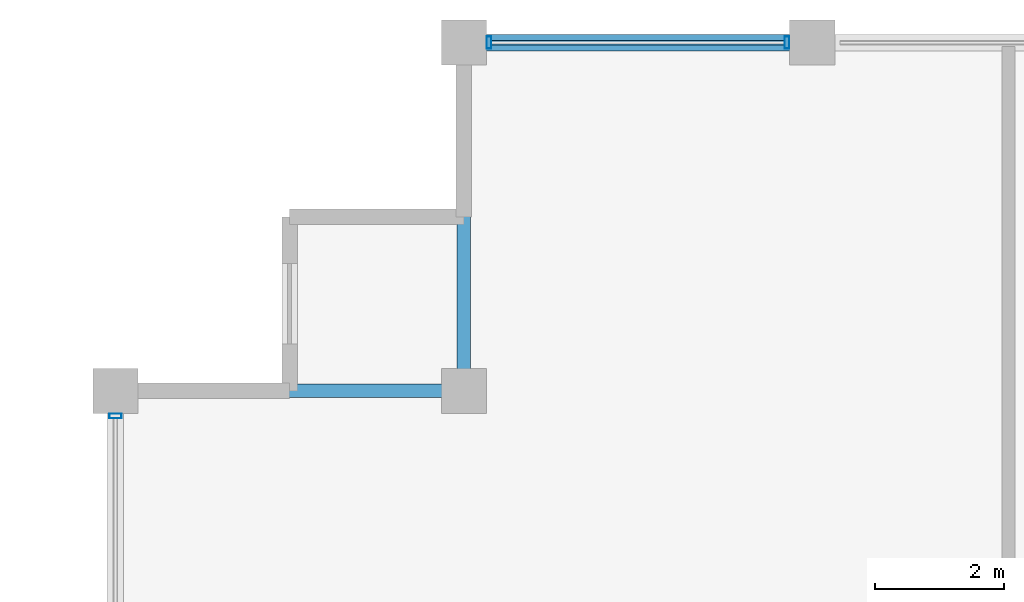
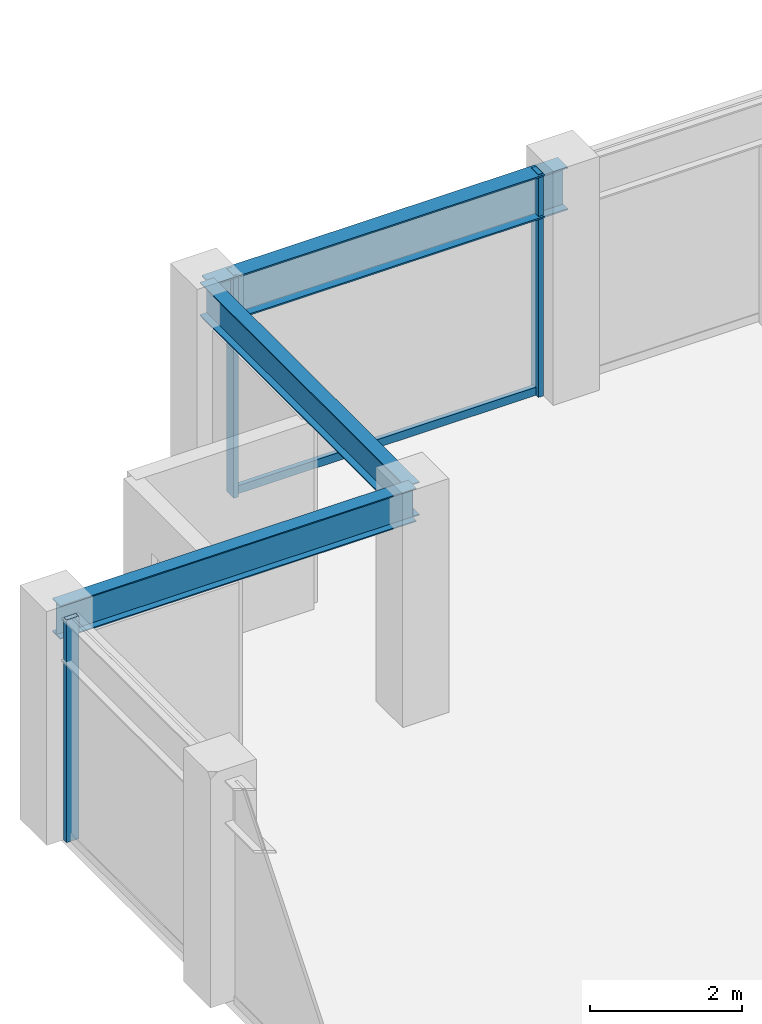
# One storey, part 15 of 30: 4 members, 3 beams, 2 elements without a shape of their own.
"""IFC4 building model written with IfcOpenShell, lengths in metres."""

from ifc_helpers import new_model, si_unit, direction, frame, origin, origin_2d, place, context, subcontext, project, spatial, hollow_rectangle, i_section, extrude, material, layer, layer_set, material_profile, profile_set, type_object, element, aggregate, save


model = new_model("IFC4")

# Units and contexts
model_context = context("Model", 3, precision=1e-05, world=origin(), true_north=direction((0.0, 1.0)))
body_context = subcontext(model_context, "Body", "Model", "MODEL_VIEW")
ifc_project = project(units=[si_unit("LENGTHUNIT", "METRE"), si_unit("AREAUNIT", "SQUARE_METRE"), si_unit("VOLUMEUNIT", "CUBIC_METRE"), si_unit("PLANEANGLEUNIT", "RADIAN"), si_unit("MASSUNIT", "GRAM", prefix="KILO")], contexts=[model_context])

# Site, building, storey
site_placement = place(None, origin())
site = spatial("IfcSite", under=ifc_project, at=site_placement, CompositionType="ELEMENT")
building_placement = place(site_placement, origin())
building = spatial("IfcBuilding", under=site, at=building_placement, Name="Surkhivell Harbour Commons", CompositionType="ELEMENT")
storey_placement = place(building_placement, frame((0.0, 0.0, 303.75)))
storey = spatial("IfcBuildingStorey", under=building, at=storey_placement, Name="L79", CompositionType="ELEMENT", Elevation=303.75)

# Beams
ifc_material_1 = material(Name="Steel S355", Category="steel")
ifc_material_profile_1 = material_profile(ifc_material_1, i_section(OverallWidth=0.2099609375, OverallDepth=0.537109375, WebThickness=0.0107421875, FlangeThickness=0.017333984375, at=origin_2d()), Name="UB533x210x101")
ifc_profile_set_1 = profile_set([ifc_material_profile_1], Name="Steel S355")
beam_type_1 = type_object("IfcBeamType", Name="BM-GRD-533B", PredefinedType="BEAM", material=ifc_profile_set_1)
for number, where, z_axis, x_axis, name in (
    (1, (-27.0, 20.5, 3.301513671875), (1.0, 0.0, 0.0), (0.0, 1.0, 0.0), "L79 Floor Girder (-27.0,20.5)"),
    (2, (-21.60009765625, 20.5, 3.301513671875), (0.0, 1.0, 0.0), (-1.0, 0.0, 0.0), "L79 Floor Girder (-21.6,20.5)"),
):
    element("IfcBeam", number, at=place(storey_placement, frame(where, z_axis=z_axis, x_axis=x_axis)), inside=storey, type_object=beam_type_1, Name=name, PredefinedType="BEAM", context=body_context, shape_type="SweptSolid", body=[
        extrude(i_section(OverallWidth=0.2099609375, OverallDepth=0.537109375, WebThickness=0.0107421875, FlangeThickness=0.017333984375, at=origin_2d()), origin(), (0.0, 0.0, 1.0), 5.39990234375),
    ])
ifc_material_profile_2 = material_profile(ifc_material_1, i_section(OverallWidth=0.256103515625, OverallDepth=0.693115234375, WebThickness=0.014404296875, FlangeThickness=0.023681640625, at=origin_2d()), Name="UB686x254x170")
ifc_profile_set_2 = profile_set([ifc_material_profile_2], Name="Steel S355")
beam_type_2 = type_object("IfcBeamType", Name="BM-SPN-686", PredefinedType="SPANDREL", material=ifc_profile_set_2)
beam_placement = place(storey_placement, frame((-21.60009765625, 25.89990234375, 3.223388671875), z_axis=(1.0, 0.0, 0.0), x_axis=(0.0, 1.0, 0.0)))
element("IfcBeam", 3, at=beam_placement, inside=storey, type_object=beam_type_2, Name="L79 Tube Spandrel (-21.6,25.9)", PredefinedType="SPANDREL", context=body_context, shape_type="SweptSolid", body=[
    extrude(i_section(OverallWidth=0.256103515625, OverallDepth=0.693115234375, WebThickness=0.014404296875, FlangeThickness=0.023681640625, at=origin_2d()), origin(), (0.0, 0.0, 1.0), 5.400146484375),
])

# Curtain wall, members
ifc_material_2 = material(Name="Anodised pale-metal aluminium and insulated glazing", Category="aluminium")
ifc_layer = layer(ifc_material_2, 0.175048828125)
ifc_layer_set = layer_set([ifc_layer], Name="Anodised pale-metal aluminium and insulated glazing")
curtain_wall_type = type_object("IfcCurtainWallType", Name="CW-SYS-Z4", PredefinedType="NOTDEFINED", material=ifc_layer_set)
curtain_wall_1_placement = place(storey_placement, origin())
curtain_wall_1 = element("IfcCurtainWall", 4, at=curtain_wall_1_placement, inside=storey, type_object=curtain_wall_type, Name="L79 Curtain Wall CW-L79-E07S2", PredefinedType="NOTDEFINED")
ifc_material_3 = material(Name="Anodised pale-metal aluminium alloy 6063-T6", Category="aluminium")
ifc_material_profile_3 = material_profile(ifc_material_3, hollow_rectangle(XDim=0.074951171875, YDim=0.18994140625, WallThickness=0.00390625, at=origin_2d()), Name="ALU-MULL-75x190")
ifc_profile_set_3 = profile_set([ifc_material_profile_3], Name="Anodised pale-metal aluminium alloy 6063-T6")
member_type_1 = type_object("IfcMemberType", Name="CWM-190", PredefinedType="MULLION", material=ifc_profile_set_3)
member_1_placement = place(storey_placement, frame((-16.589599609375, 25.89990234375, 0.0), z_axis=(0.0, 0.0, 1.0), x_axis=(-1.0, 0.0, 0.0)))
member_1 = element("IfcMember", 5, at=member_1_placement, type_object=member_type_1, Name="CW-Z4 mullion 3", PredefinedType="MULLION", context=body_context, shape_type="SweptSolid", body=[
    extrude(hollow_rectangle(XDim=0.074951171875, YDim=0.18994140625, WallThickness=0.00390625, at=origin_2d()), origin(), (0.0, 0.0, 1.0), 3.570068359375),
])
member_2_placement = place(storey_placement, frame((-21.21044921875, 25.89990234375, 0.0), z_axis=(0.0, 0.0, 1.0), x_axis=(-1.0, 0.0, 0.0)))
member_2 = element("IfcMember", 6, at=member_2_placement, type_object=member_type_1, Name="CW-Z4 mullion 4", PredefinedType="MULLION", context=body_context, shape_type="SweptSolid", body=[
    extrude(hollow_rectangle(XDim=0.074951171875, YDim=0.18994140625, WallThickness=0.00390625, at=origin_2d()), origin(), (0.0, 0.0, 1.0), 3.570068359375),
])

# Curtain wall, member
curtain_wall_2_placement = place(storey_placement, origin())
curtain_wall_2 = element("IfcCurtainWall", 7, at=curtain_wall_2_placement, inside=storey, type_object=curtain_wall_type, Name="L79 Curtain Wall CW-L79-E12R2", PredefinedType="NOTDEFINED")
member_3_placement = place(storey_placement, frame((-27.0, 20.110595703125, 0.0), z_axis=(0.0, 0.0, 1.0), x_axis=(0.0, 1.0, 0.0)))
member_3 = element("IfcMember", 8, at=member_3_placement, type_object=member_type_1, Name="CW-Z4 mullion 4", PredefinedType="MULLION", context=body_context, shape_type="SweptSolid", body=[
    extrude(hollow_rectangle(XDim=0.074951171875, YDim=0.18994140625, WallThickness=0.00390625, at=origin_2d()), origin(), (0.0, 0.0, 1.0), 3.570068359375),
])
aggregate(curtain_wall_2, [member_3])

# Member
ifc_material_4 = material(Name="Champagne anodised aluminium alloy 6063-T6", Category="aluminium")
ifc_material_profile_4 = material_profile(ifc_material_4, hollow_rectangle(XDim=0.070068359375, YDim=0.1298828125, WallThickness=0.00341796875, at=origin_2d()), Name="ALU-TRAN-70x130")
ifc_profile_set_4 = profile_set([ifc_material_profile_4], Name="Champagne anodised aluminium alloy 6063-T6")
member_type_2 = type_object("IfcMemberType", Name="CWT-130", PredefinedType="USERDEFINED", material=ifc_profile_set_4)
member_4_placement = place(storey_placement, frame((-16.626953125, 25.89990234375, 0.06494140625), z_axis=(-1.0, 0.0, 0.0), x_axis=(0.0, -1.0, 0.0)))
member_4 = element("IfcMember", 9, at=member_4_placement, type_object=member_type_2, Name="CW-Z4 transom 3.1", ObjectType="TRANSOM", PredefinedType="USERDEFINED", context=body_context, shape_type="SweptSolid", body=[
    extrude(hollow_rectangle(XDim=0.070068359375, YDim=0.1298828125, WallThickness=0.00341796875, at=origin_2d()), origin(), (0.0, 0.0, 1.0), 4.546142578125),
])

aggregate(curtain_wall_1, [member_1, member_2, member_4])

save(model, "model.ifc")
